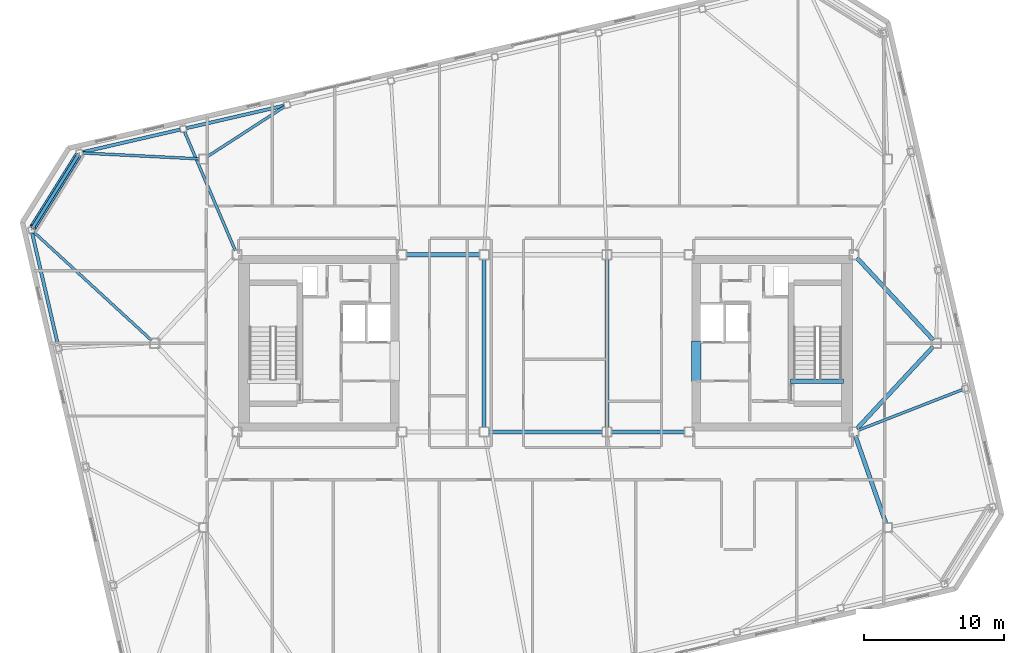
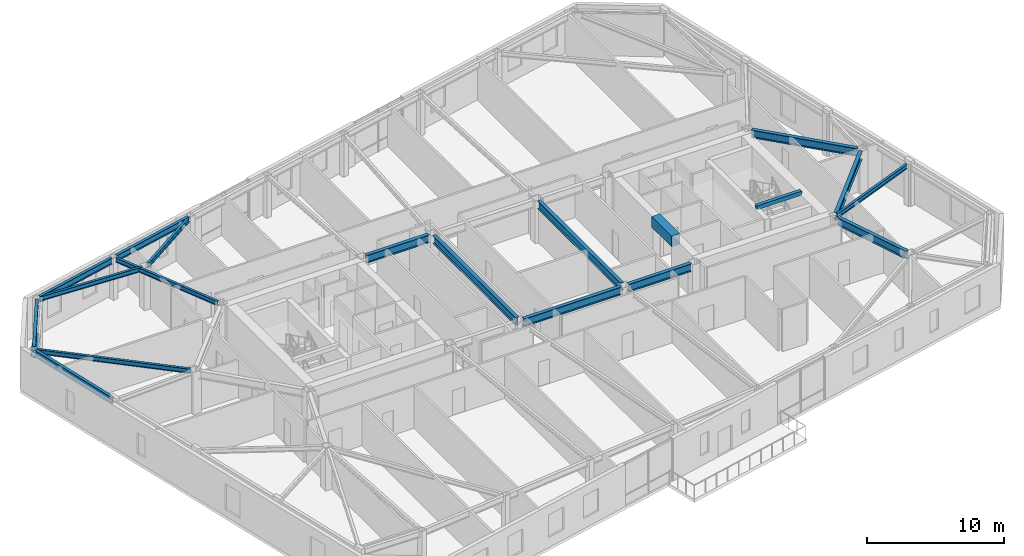
# One storey, part 11 of 24: 19 beams, 1 member.
"""IFC4 building model written with IfcOpenShell, lengths in metres."""

from ifc_helpers import new_model, si_unit, direction, frame, origin, origin_2d, place, context, subcontext, project, spatial, rectangle, hollow_circle, i_section, extrude, material, material_profile, profile_set, type_object, element, save


model = new_model("IFC4")

# Units and contexts
model_context = context("Model", 3, precision=1e-05, world=origin(), true_north=direction((0.0, 1.0)))
body_context = subcontext(model_context, "Body", "Model", "MODEL_VIEW")
ifc_project = project(units=[si_unit("LENGTHUNIT", "METRE"), si_unit("AREAUNIT", "SQUARE_METRE"), si_unit("VOLUMEUNIT", "CUBIC_METRE"), si_unit("PLANEANGLEUNIT", "RADIAN"), si_unit("MASSUNIT", "GRAM", prefix="KILO")], contexts=[model_context])

# Site, building, storey
site_placement = place(None, origin())
site = spatial("IfcSite", under=ifc_project, at=site_placement, CompositionType="ELEMENT")
building_placement = place(site_placement, origin())
building = spatial("IfcBuilding", under=site, at=building_placement, Name="Tavrogorsk Clinical Tower", CompositionType="ELEMENT")
storey_placement = place(building_placement, frame((0.0, 0.0, 325.0)))
storey = spatial("IfcBuildingStorey", under=building, at=storey_placement, Name="L76", CompositionType="ELEMENT", Elevation=325.0)

# Beam
ifc_material_1 = material(Name="Concrete B80", Category="concrete")
ifc_material_profile_1 = material_profile(ifc_material_1, rectangle(XDim=0.699951171875, YDim=0.949951171875, at=origin_2d()), Name="RC-CB-700x950")
ifc_profile_set_1 = profile_set([ifc_material_profile_1], Name="Concrete B80")
beam_type_1 = type_object("IfcBeamType", Name="CouplingBeam_RC700x950", PredefinedType="LINTEL", material=ifc_profile_set_1)
beam_1_placement = place(storey_placement, frame((10.800048828125, -2.75, 3.264892578125), z_axis=(0.0, 1.0, 0.0), x_axis=(-1.0, 0.0, 0.0)))
element("IfcBeam", 1, at=beam_1_placement, inside=storey, type_object=beam_type_1, Name="L76 Core East Coupling Beam", PredefinedType="LINTEL", context=body_context, shape_type="SweptSolid", body=[
    extrude(rectangle(XDim=0.699951171875, YDim=0.949951171875, at=origin_2d()), origin(), (0.0, 0.0, 1.0), 2.89990234375),
])

# Member
ifc_material_2 = material(Name="Structural steel S440", Category="steel")
ifc_material_profile_2 = material_profile(ifc_material_2, hollow_circle(Radius=0.25390625, WallThickness=0.02001953125, at=origin_2d()), Name="CHS-508x20")
ifc_profile_set_2 = profile_set([ifc_material_profile_2], Name="Structural steel S440")
member_type = type_object("IfcMemberType", Name="ExoBrace_CHS508", PredefinedType="BRACE", material=ifc_profile_set_2)
member_placement = place(storey_placement, frame((-33.501708984375, 13.4638671875, 0.393310546875), z_axis=(-0.485643868835, -0.777221605895, 0.400095748531), x_axis=(0.848056967697, -0.529905066536, 0.0)))
element("IfcMember", 2, at=member_placement, inside=storey, type_object=member_type, Name="L76 Corner Exoskeleton Brace N8-W1", PredefinedType="BRACE", context=body_context, shape_type="SweptSolid", body=[
    extrude(hollow_circle(Radius=0.25390625, WallThickness=0.02001953125, at=origin_2d()), origin(), (0.0, 0.0, 1.0), 6.63232421875),
])

# Beams
ifc_material_3 = material(Name="Structural steel S355", Category="steel")
ifc_material_profile_3 = material_profile(ifc_material_3, i_section(OverallWidth=0.199951171875, OverallDepth=0.39990234375, WebThickness=0.010498046875, FlangeThickness=0.01611328125, at=origin_2d()), Name="B-400x200x10.5x16")
ifc_profile_set_3 = profile_set([ifc_material_profile_3], Name="Structural steel S355")
beam_type_2 = type_object("IfcBeamType", Name="FloorBeam_B400", PredefinedType="BEAM", material=ifc_profile_set_3)
beam_2_placement = place(storey_placement, frame((-24.23974609375, 13.36865234375, 3.5400390625), z_axis=(0.839287867478, 0.543687295699, 0.0), x_axis=(-0.543687295699, 0.839287867478, 0.0)))
element("IfcBeam", 3, at=beam_2_placement, inside=storey, type_object=beam_type_2, Name="L76 Radial Floor Beam N6", PredefinedType="BEAM", context=body_context, shape_type="SweptSolid", body=[
    extrude(i_section(OverallWidth=0.199951171875, OverallDepth=0.39990234375, WebThickness=0.010498046875, FlangeThickness=0.01611328125, at=origin_2d()), origin(), (0.0, 0.0, 1.0), 6.592529296875),
])
beam_3_placement = place(storey_placement, frame((-22.2216796875, 6.635009765625, 3.5400390625), z_axis=(-0.392852744382, 0.919601392578, 0.0), x_axis=(-0.919601392578, -0.392852744382, 0.0)))
element("IfcBeam", 4, at=beam_3_placement, inside=storey, type_object=beam_type_2, Name="L76 Radial Floor Beam N7", PredefinedType="BEAM", context=body_context, shape_type="SweptSolid", body=[
    extrude(i_section(OverallWidth=0.199951171875, OverallDepth=0.39990234375, WebThickness=0.010498046875, FlangeThickness=0.01611328125, at=origin_2d()), origin(), (0.0, 0.0, 1.0), 9.25732421875),
])
beam_4_placement = place(storey_placement, frame((-24.8095703125, 13.215576171875, 3.5400390625), z_axis=(-0.998749933549, 0.049985700304, 0.0), x_axis=(-0.049985700304, -0.998749933549, 0.0)))
element("IfcBeam", 5, at=beam_4_placement, inside=storey, type_object=beam_type_2, Name="L76 Radial Floor Beam N8", PredefinedType="BEAM", context=body_context, shape_type="SweptSolid", body=[
    extrude(i_section(OverallWidth=0.199951171875, OverallDepth=0.39990234375, WebThickness=0.010498046875, FlangeThickness=0.01611328125, at=origin_2d()), origin(), (0.0, 0.0, 1.0), 8.35693359375),
])
beam_5_placement = place(storey_placement, frame((22.388916015625, -6.237548828125, 3.5400390625), z_axis=(0.931736989786, 0.363133834647, 0.0), x_axis=(-0.363133834647, 0.931736989786, 0.0)))
element("IfcBeam", 6, at=beam_5_placement, inside=storey, type_object=beam_type_2, Name="L76 Radial Floor Beam E2", PredefinedType="BEAM", context=body_context, shape_type="SweptSolid", body=[
    extrude(i_section(OverallWidth=0.199951171875, OverallDepth=0.39990234375, WebThickness=0.010498046875, FlangeThickness=0.01611328125, at=origin_2d()), origin(), (0.0, 0.0, 1.0), 8.01806640625),
])
beam_6_placement = place(storey_placement, frame((-28.228271484375, 0.2099609375, 3.5400390625), z_axis=(-0.735959452605, 0.677025615557, 0.0), x_axis=(-0.677025615557, -0.735959452605, 0.0)))
element("IfcBeam", 7, at=beam_6_placement, inside=storey, type_object=beam_type_2, Name="L76 Radial Floor Beam W1", PredefinedType="BEAM", context=body_context, shape_type="SweptSolid", body=[
    extrude(i_section(OverallWidth=0.199951171875, OverallDepth=0.39990234375, WebThickness=0.010498046875, FlangeThickness=0.01611328125, at=origin_2d()), origin(), (0.0, 0.0, 1.0), 11.462646484375),
])
ifc_material_4 = material(Name="Structural steel S390", Category="steel")
ifc_material_profile_4 = material_profile(ifc_material_4, i_section(OverallWidth=0.300048828125, OverallDepth=0.699951171875, WebThickness=0.01708984375, FlangeThickness=0.028076171875, at=origin_2d()), Name="B-700x300x17x28")
ifc_profile_set_4 = profile_set([ifc_material_profile_4], Name="Structural steel S390")
beam_type_3 = type_object("IfcBeamType", Name="PrimaryGirder_B700", PredefinedType="USERDEFINED", material=ifc_profile_set_4)
beam_7_placement = place(storey_placement, frame((-9.989990234375, 6.35009765625, 3.389892578125), z_axis=(1.0, 0.0, 0.0), x_axis=(0.0, 1.0, 0.0)))
element("IfcBeam", 8, at=beam_7_placement, inside=storey, type_object=beam_type_3, Name="L76 Primary Spine Girder MG-02", ObjectType="GIRDER", PredefinedType="USERDEFINED", context=body_context, shape_type="SweptSolid", body=[
    extrude(i_section(OverallWidth=0.300048828125, OverallDepth=0.699951171875, WebThickness=0.01708984375, FlangeThickness=0.028076171875, at=origin_2d()), origin(), (0.0, 0.0, 1.0), 5.280029296875),
])
beam_8_placement = place(storey_placement, frame((-4.090087890625, -6.35009765625, 3.389892578125), z_axis=(1.0, 0.0, 0.0), x_axis=(0.0, 1.0, 0.0)))
element("IfcBeam", 9, at=beam_8_placement, inside=storey, type_object=beam_type_3, Name="L76 Primary Spine Girder MG-03", ObjectType="GIRDER", PredefinedType="USERDEFINED", context=body_context, shape_type="SweptSolid", body=[
    extrude(i_section(OverallWidth=0.300048828125, OverallDepth=0.699951171875, WebThickness=0.01708984375, FlangeThickness=0.028076171875, at=origin_2d()), origin(), (0.0, 0.0, 1.0), 8.18017578125),
])
beam_9_placement = place(storey_placement, frame((4.7099609375, -6.35009765625, 3.389892578125), z_axis=(1.0, 0.0, 0.0), x_axis=(0.0, 1.0, 0.0)))
element("IfcBeam", 10, at=beam_9_placement, inside=storey, type_object=beam_type_3, Name="L76 Primary Spine Girder MG-05", ObjectType="GIRDER", PredefinedType="USERDEFINED", context=body_context, shape_type="SweptSolid", body=[
    extrude(i_section(OverallWidth=0.300048828125, OverallDepth=0.699951171875, WebThickness=0.01708984375, FlangeThickness=0.028076171875, at=origin_2d()), origin(), (0.0, 0.0, 1.0), 5.280029296875),
])
for number, where, z_axis, x_axis, name in (
    (11, (-4.39990234375, -6.0400390625, 3.389892578125), (0.0, 1.0, 0.0), (-1.0, 0.0, 0.0), "L76 Primary Spine Girder MG-07"),
    (12, (4.39990234375, -6.0400390625, 3.389892578125), (0.0, 1.0, 0.0), (-1.0, 0.0, 0.0), "L76 Primary Spine Girder MG-08"),
):
    element("IfcBeam", number, at=place(storey_placement, frame(where, z_axis=z_axis, x_axis=x_axis)), inside=storey, type_object=beam_type_3, Name=name, ObjectType="GIRDER", PredefinedType="USERDEFINED", context=body_context, shape_type="SweptSolid", body=[
        extrude(i_section(OverallWidth=0.300048828125, OverallDepth=0.699951171875, WebThickness=0.01708984375, FlangeThickness=0.028076171875, at=origin_2d()), origin(), (0.0, 0.0, 1.0), 12.080078125),
    ])
beam_10_placement = place(storey_placement, frame((24.3974609375, -12.907470703125, 3.389892578125), z_axis=(-0.330666578092, 0.943747643246, 0.0), x_axis=(-0.943747643246, -0.330666578092, 0.0)))
element("IfcBeam", 13, at=beam_10_placement, inside=storey, type_object=beam_type_3, Name="L76 Spine Link Girder OPG-2", ObjectType="GIRDER", PredefinedType="USERDEFINED", context=body_context, shape_type="SweptSolid", body=[
    extrude(i_section(OverallWidth=0.300048828125, OverallDepth=0.699951171875, WebThickness=0.01708984375, FlangeThickness=0.028076171875, at=origin_2d()), origin(), (0.0, 0.0, 1.0), 6.638427734375),
])
for number, where, z_axis, x_axis, name in (
    (14, (27.7890625, -0.22705078125, 3.389892578125), (-0.680677963005, -0.732582767119, 0.0), (0.732582767119, -0.680677963005, 0.0), "L76 Spine Link Girder OPG-7"),
    (15, (27.7890625, 0.22705078125, 3.389892578125), (-0.680677963005, 0.732582767119, 0.0), (-0.732582767119, -0.680677963005, 0.0), "L76 Spine Link Girder OPG-8"),
):
    element("IfcBeam", number, at=place(storey_placement, frame(where, z_axis=z_axis, x_axis=x_axis)), inside=storey, type_object=beam_type_3, Name=name, ObjectType="GIRDER", PredefinedType="USERDEFINED", context=body_context, shape_type="SweptSolid", body=[
        extrude(i_section(OverallWidth=0.300048828125, OverallDepth=0.699951171875, WebThickness=0.01708984375, FlangeThickness=0.028076171875, at=origin_2d()), origin(), (0.0, 0.0, 1.0), 8.0478515625),
    ])
ifc_material_5 = material(Name="Structural steel S390", Category="steel")
ifc_material_profile_5 = material_profile(ifc_material_5, i_section(OverallWidth=0.239990234375, OverallDepth=0.550048828125, WebThickness=0.013916015625, FlangeThickness=0.02197265625, at=origin_2d()), Name="B-550x240x14x22")
ifc_profile_set_5 = profile_set([ifc_material_profile_5], Name="Structural steel S390")
beam_type_4 = type_object("IfcBeamType", Name="SpandrelBeam_B550", PredefinedType="SPANDREL", material=ifc_profile_set_5)
beam_11_placement = place(storey_placement, frame((-18.73828125, 17.027099609375, 3.465087890625), z_axis=(-0.97437684326, -0.224921691527, 0.0), x_axis=(0.224921691527, -0.97437684326, 0.0)))
element("IfcBeam", 16, at=beam_11_placement, inside=storey, type_object=beam_type_4, Name="L76 Perimeter Spandrel N6-N7", PredefinedType="SPANDREL", context=body_context, shape_type="SweptSolid", body=[
    extrude(i_section(OverallWidth=0.239990234375, OverallDepth=0.550048828125, WebThickness=0.013916015625, FlangeThickness=0.02197265625, at=origin_2d()), origin(), (0.0, 0.0, 1.0), 7.168212890625),
])
beam_12_placement = place(storey_placement, frame((-26.177001953125, 15.309814453125, 3.465087890625), z_axis=(-0.974369378592, -0.224954026551, 0.0), x_axis=(0.224954026551, -0.974369378592, 0.0)))
element("IfcBeam", 17, at=beam_12_placement, inside=storey, type_object=beam_type_4, Name="L76 Perimeter Spandrel N7-N8", PredefinedType="SPANDREL", context=body_context, shape_type="SweptSolid", body=[
    extrude(i_section(OverallWidth=0.239990234375, OverallDepth=0.550048828125, WebThickness=0.013916015625, FlangeThickness=0.02197265625, at=origin_2d()), origin(), (0.0, 0.0, 1.0), 7.16845703125),
])
beam_13_placement = place(storey_placement, frame((-33.511962890625, 13.447265625, 3.465087890625), z_axis=(-0.529933531413, -0.848039180866, 0.0), x_axis=(0.848039180866, -0.529933531413, 0.0)))
element("IfcBeam", 18, at=beam_13_placement, inside=storey, type_object=beam_type_4, Name="L76 Perimeter Spandrel N8-W1", PredefinedType="SPANDREL", context=body_context, shape_type="SweptSolid", body=[
    extrude(i_section(OverallWidth=0.239990234375, OverallDepth=0.550048828125, WebThickness=0.013916015625, FlangeThickness=0.02197265625, at=origin_2d()), origin(), (0.0, 0.0, 1.0), 6.039306640625),
])
beam_14_placement = place(storey_placement, frame((-36.783447265625, 7.901123046875, 3.465087890625), z_axis=(0.224950345141, -0.974370228517, 0.0), x_axis=(0.974370228517, 0.224950345141, 0.0)))
element("IfcBeam", 19, at=beam_14_placement, inside=storey, type_object=beam_type_4, Name="L76 Perimeter Spandrel W1-W2", PredefinedType="SPANDREL", context=body_context, shape_type="SweptSolid", body=[
    extrude(i_section(OverallWidth=0.239990234375, OverallDepth=0.550048828125, WebThickness=0.013916015625, FlangeThickness=0.02197265625, at=origin_2d()), origin(), (0.0, 0.0, 1.0), 8.243896484375),
])
ifc_material_6 = material(Name="Concrete B60", Category="concrete")
ifc_material_profile_6 = material_profile(ifc_material_6, rectangle(XDim=0.300048828125, YDim=0.35009765625, at=origin_2d()), Name="RC-SHB-300x350")
ifc_profile_set_6 = profile_set([ifc_material_profile_6], Name="Concrete B60")
beam_type_5 = type_object("IfcBeamType", Name="StairHeaderBeam_RC300x350", PredefinedType="BEAM", material=ifc_profile_set_6)
beam_15_placement = place(storey_placement, frame((17.550048828125, -2.719970703125, 3.824951171875), z_axis=(1.0, 0.0, 0.0), x_axis=(0.0, 1.0, 0.0)))
element("IfcBeam", 20, at=beam_15_placement, inside=storey, type_object=beam_type_5, Name="L77 ST-E Landing Header Beam", PredefinedType="BEAM", context=body_context, shape_type="SweptSolid", body=[
    extrude(rectangle(XDim=0.300048828125, YDim=0.35009765625, at=origin_2d()), origin(), (0.0, 0.0, 1.0), 3.800048828125),
])

save(model, "model.ifc")
